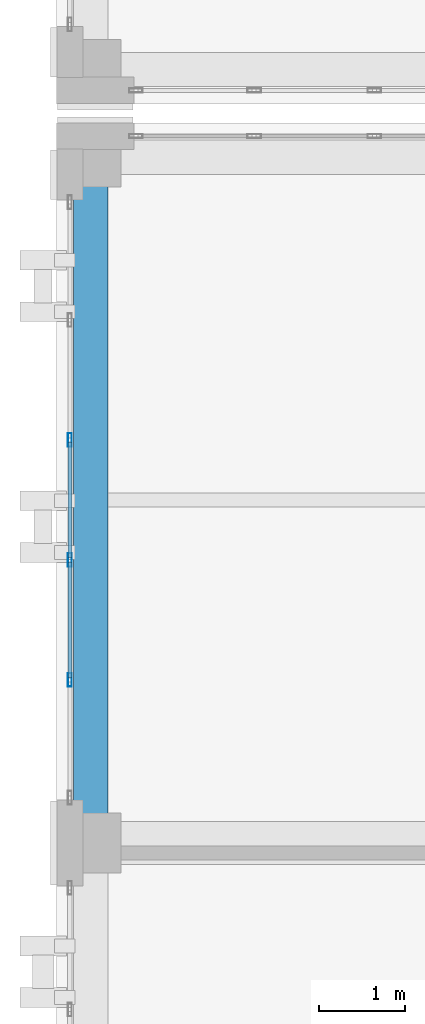
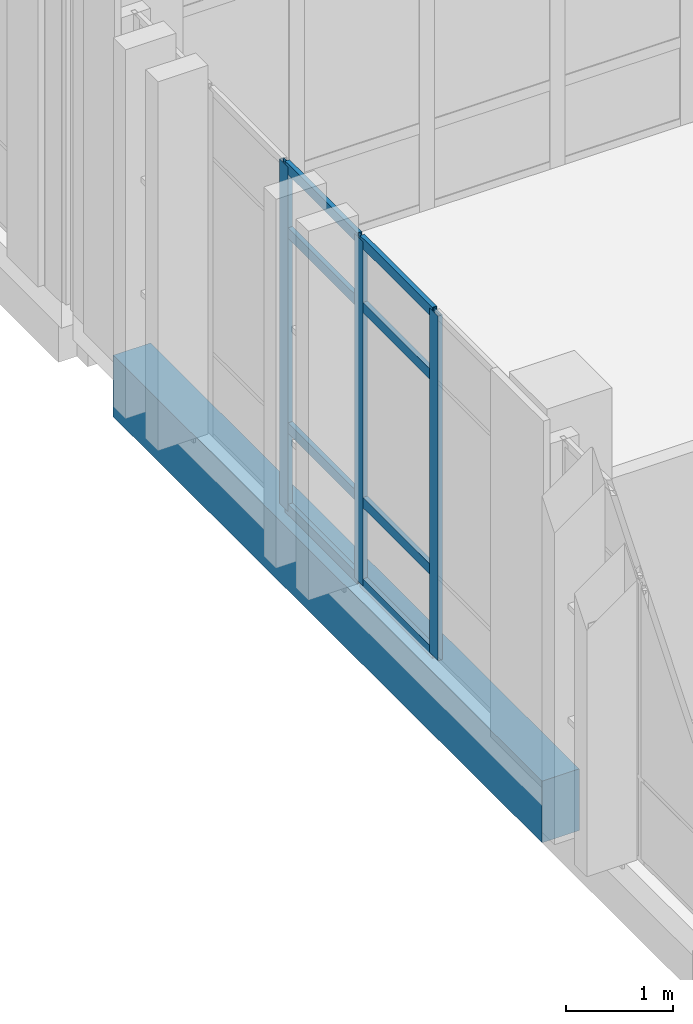
# One storey, part 80 of 193: 11 members, 1 beam, 1 element without a shape of its own.
"""IFC4 building model written with IfcOpenShell, lengths in metres."""

import ifcopenshell
import ifcopenshell.guid

model = None  # the IFC model being written
_history = None  # IfcOwnerHistory: only IFC2X3 demands one
_inside = {}  # id of a spatial element -> (the spatial element, [elements in it])
_under = {}  # id of a project, library or spatial element -> (it, [spatial elements below it])
_declared = {}  # id of a project -> (the project, [libraries it declares])
_typed = {}  # id of a type object -> (the type object, [elements of that type])
_made_of = {}  # id of a material, layer set ... -> (it, [elements and type objects made of it])


def new_model(schema):
    """Start an empty IFC model of exactly this schema.

    Asked for "IFC4X3", IfcOpenShell would pick the latest addendum, in which some entities
    have other attributes; the version numbers below select the first issue.
    IFC2X3 requires an IfcOwnerHistory on every rooted entity: one is made here for all.
    """
    global model, _history
    if schema == "IFC4X3":
        model = ifcopenshell.file(schema_version=(4, 3, 0, 0))
    else:
        model = ifcopenshell.file(schema=schema)
    _inside.clear()
    _under.clear()
    _declared.clear()
    _typed.clear()
    _made_of.clear()
    _history = None
    if model.schema == "IFC2X3":
        org = make("IfcOrganization", Name="unknown")
        user = make(
            "IfcPersonAndOrganization",
            ThePerson=make("IfcPerson", FamilyName="unknown"),
            TheOrganization=org,
        )
        app = make(
            "IfcApplication",
            ApplicationDeveloper=org,
            Version="unknown",
            ApplicationFullName="unknown",
            ApplicationIdentifier="unknown",
        )
        _history = make(
            "IfcOwnerHistory",
            OwningUser=user,
            OwningApplication=app,
            ChangeAction="ADDED",
            CreationDate=0,
        )
    return model


def make(cls, **values):
    """One entity of the class cls with the attributes given. An attribute that is None is left unset."""
    return model.create_entity(
        cls, **{name: value for name, value in values.items() if value is not None}
    )


def rooted(cls, **values):
    """An entity with a GlobalId (a new one), such as an element, a storey or a relation."""
    return make(cls, GlobalId=ifcopenshell.guid.new(), OwnerHistory=_history, **values)


def si_unit(unit_type, name, prefix=None):
    """IfcSIUnit, for example si_unit("LENGTHUNIT", "METRE", prefix="MILLI")."""
    return make("IfcSIUnit", UnitType=unit_type, Prefix=prefix, Name=name)


def assignment(units):
    """IfcUnitAssignment: the units of a project."""
    return None if units is None else make("IfcUnitAssignment", Units=units)


def point(xyz):
    """IfcCartesianPoint."""
    return None if xyz is None else make("IfcCartesianPoint", Coordinates=xyz)


def direction(xyz):
    """IfcDirection."""
    return None if xyz is None else make("IfcDirection", DirectionRatios=xyz)


def frame(location, z_axis=None, x_axis=None):
    """IfcAxis2Placement3D, a coordinate frame: its origin and axes. An axis left out is left unset."""
    return make(
        "IfcAxis2Placement3D",
        Location=point(location),
        Axis=direction(z_axis),
        RefDirection=direction(x_axis),
    )


def frame_2d(location, x_axis=None):
    """IfcAxis2Placement2D, a coordinate frame in the plane: its origin and x axis."""
    return make(
        "IfcAxis2Placement2D", Location=point(location), RefDirection=direction(x_axis)
    )


def origin():
    """The frame at (0, 0, 0) with its axes left unset."""
    return frame((0.0, 0.0, 0.0))


def origin_2d():
    """The frame at (0, 0) in the plane with its x axis left unset."""
    return frame_2d((0.0, 0.0))


def place(relative_to, where):
    """IfcLocalPlacement: puts the frame where relative to a parent placement (None: the world)."""
    return make(
        "IfcLocalPlacement", PlacementRelTo=relative_to, RelativePlacement=where
    )


def context(
    kind, dimensions, precision=None, world=None, true_north=None, identifier=None
):
    """IfcGeometricRepresentationContext, for example the 3D "Model" context."""
    return make(
        "IfcGeometricRepresentationContext",
        ContextIdentifier=identifier,
        ContextType=kind,
        CoordinateSpaceDimension=dimensions,
        Precision=precision,
        WorldCoordinateSystem=world,
        TrueNorth=true_north,
    )


def subcontext(parent, identifier, kind, view, scale=None):
    """IfcGeometricRepresentationSubContext, for example "Body" below "Model"."""
    return make(
        "IfcGeometricRepresentationSubContext",
        ContextIdentifier=identifier,
        ContextType=kind,
        ParentContext=parent,
        TargetScale=scale,
        TargetView=view,
    )


def project(units=None, contexts=None):
    """IfcProject with its units and contexts."""
    return rooted(
        "IfcProject",
        Name="project",
        RepresentationContexts=contexts,
        UnitsInContext=assignment(units),
    )


def spatial(cls, under=None, at=None, **own):
    """A site, building, storey or space (cls), placed at a placement, below another one or the project."""
    s = rooted(cls, ObjectPlacement=at, **own)
    if under is not None:
        _under.setdefault(under.id(), (under, []))[1].append(s)
    return s


def profile(cls, at=None, kind="AREA", **sizes):
    """A parametric profile (cls). Its sizes go by their IFC names, for example OverallWidth=200.0."""
    return make(cls, ProfileType=kind, Position=at, **sizes)


def rectangle(**sizes):
    """IfcRectangleProfileDef."""
    return profile("IfcRectangleProfileDef", **sizes)


def hollow_rectangle(**sizes):
    """IfcRectangleHollowProfileDef."""
    return profile("IfcRectangleHollowProfileDef", **sizes)


def extrude(swept, where, along, depth):
    """IfcExtrudedAreaSolid: the profile swept, set in the frame where, extruded along a direction by depth."""
    return make(
        "IfcExtrudedAreaSolid",
        SweptArea=swept,
        Position=where,
        ExtrudedDirection=direction(along),
        Depth=depth,
    )


def shape(context_of_items, identifier, shape_type, items):
    """IfcShapeRepresentation: the items that make up one representation, for example the "Body"."""
    return make(
        "IfcShapeRepresentation",
        ContextOfItems=context_of_items,
        RepresentationIdentifier=identifier,
        RepresentationType=shape_type,
        Items=items,
    )


def material(Name=None, Category=None):
    """IfcMaterial."""
    return make("IfcMaterial", Name=Name, Category=Category)


def layer(
    of_material, thickness, ventilated=None, Name=None, Category=None, Priority=None
):
    """IfcMaterialLayer: one layer of a wall or slab, of a material (None: an air gap)."""
    return make(
        "IfcMaterialLayer",
        Material=of_material,
        LayerThickness=thickness,
        IsVentilated=ventilated,
        Name=Name,
        Category=Category,
        Priority=Priority,
    )


def layer_set(layers, Name=None):
    """IfcMaterialLayerSet."""
    return make("IfcMaterialLayerSet", MaterialLayers=layers, LayerSetName=Name)


def material_profile(
    of_material, cross_section, Name=None, Category=None, Priority=None
):
    """IfcMaterialProfile: a cross section and its material."""
    return make(
        "IfcMaterialProfile",
        Name=Name,
        Material=of_material,
        Profile=cross_section,
        Priority=Priority,
        Category=Category,
    )


def profile_set(profiles, Name=None, composite=None):
    """IfcMaterialProfileSet."""
    return make(
        "IfcMaterialProfileSet",
        Name=Name,
        MaterialProfiles=profiles,
        CompositeProfile=composite,
    )


def made_of(thing, what):
    """Note that an element or type object is made of a material, layer set ...; save() writes the relation."""
    if what is not None:
        _made_of.setdefault(what.id(), (what, []))[1].append(thing)
    return thing


def type_object(cls, material=None, **own):
    """A type object (cls), such as IfcWallType, which elements share."""
    return made_of(rooted(cls, **own), material)


def element(
    cls,
    number,
    at=None,
    inside=None,
    cuts=None,
    type_object=None,
    material=None,
    context=None,
    identifier="Body",
    shape_type=None,
    held_by="IfcProductDefinitionShape",
    body=None,
    shapes=None,
    **own,
):
    """One element of the class cls, such as IfcWall. Its Tag is "e" and its number.

    at: its placement. inside: the storey or other place that contains it. cuts: it is an
    opening in that element (IfcRelVoidsElement). A single representation is given by context,
    identifier, shape_type and body (its items); several are given by shapes. held_by: the class
    of the entity that holds the representations. save() writes the other relations.
    """
    e = rooted(cls, Tag="e%d" % number, ObjectPlacement=at, **own)
    if body is not None:
        shapes = [shape(context, identifier, shape_type, body)]
    if shapes is not None:
        e.Representation = make(held_by, Representations=shapes)
    if inside is not None:
        _inside.setdefault(inside.id(), (inside, []))[1].append(e)
    if cuts is not None:
        rooted(
            "IfcRelVoidsElement", RelatingBuildingElement=cuts, RelatedOpeningElement=e
        )
    if type_object is not None:
        _typed.setdefault(type_object.id(), (type_object, []))[1].append(e)
    return made_of(e, material)


def aggregate(whole, parts):
    """IfcRelAggregates: a whole, such as a stair, and the parts it consists of."""
    return rooted("IfcRelAggregates", RelatingObject=whole, RelatedObjects=parts)


def save(model, path):
    """Write the relations noted so far, then the file.

    IfcRelAggregates (storeys below a building ...), IfcRelContainedInSpatialStructure (elements
    in a storey), IfcRelDefinesByType, IfcRelAssociatesMaterial and IfcRelDeclares: one each for
    every whole, place, type object, material and project.
    """
    for whole, parts in _under.values():
        aggregate(whole, parts)
    for where, things in _inside.values():
        rooted(
            "IfcRelContainedInSpatialStructure",
            RelatedElements=things,
            RelatingStructure=where,
        )
    for kind, things in _typed.values():
        rooted("IfcRelDefinesByType", RelatedObjects=things, RelatingType=kind)
    for what, things in _made_of.values():
        rooted("IfcRelAssociatesMaterial", RelatedObjects=things, RelatingMaterial=what)
    for by, libraries in _declared.values():
        rooted("IfcRelDeclares", RelatingContext=by, RelatedDefinitions=libraries)
    model.write(path)


model = new_model("IFC4")

# Units and contexts
model_context = context("Model", 3, precision=1e-05, world=origin(), true_north=direction((0.0, 1.0)))
body_context = subcontext(model_context, "Body", "Model", "MODEL_VIEW")
ifc_project = project(units=[si_unit("LENGTHUNIT", "METRE"), si_unit("AREAUNIT", "SQUARE_METRE"), si_unit("VOLUMEUNIT", "CUBIC_METRE"), si_unit("PLANEANGLEUNIT", "RADIAN"), si_unit("MASSUNIT", "GRAM", prefix="KILO")], contexts=[model_context])

# Site, building, storey
site_placement = place(None, origin())
site = spatial("IfcSite", under=ifc_project, at=site_placement, CompositionType="ELEMENT")
building_placement = place(site_placement, origin())
building = spatial("IfcBuilding", under=site, at=building_placement, Name="Qalavern Law Courts", CompositionType="ELEMENT")
storey_placement = place(building_placement, frame((0.0, 0.0, 10.199951171875)))
storey = spatial("IfcBuildingStorey", under=building, at=storey_placement, Name="L02", CompositionType="ELEMENT", Elevation=10.199951171875)

# Curtain wall, members
ifc_material_1 = material(Name="Anodised aluminium and insulated glazing", Category="aluminium")
ifc_layer = layer(ifc_material_1, 0.172119140625)
ifc_layer_set = layer_set([ifc_layer], Name="Anodised aluminium and insulated glazing")
curtain_wall_type = type_object("IfcCurtainWallType", Name="ENV-CW-COURT", PredefinedType="USERDEFINED", material=ifc_layer_set)
curtain_wall_placement = place(storey_placement, origin())
curtain_wall = element("IfcCurtainWall", 1, at=curtain_wall_placement, inside=storey, type_object=curtain_wall_type, Name="V3 unitised curtain wall L02 west 1", ObjectType="UNITISED CURTAIN WALL", PredefinedType="USERDEFINED")
ifc_material_2 = material(Name="Anodised aluminium", Category="aluminium")
ifc_material_profile_1 = material_profile(ifc_material_2, hollow_rectangle(XDim=0.048095703125, YDim=0.159912109375, WallThickness=0.00390625, at=origin_2d()), Name="ALU MULLION 48x160")
ifc_profile_set_1 = profile_set([ifc_material_profile_1], Name="Anodised aluminium")
member_type_1 = type_object("IfcMemberType", Name="ENV-CWM-48x160", PredefinedType="MULLION", material=ifc_profile_set_1)
member_1_placement = place(storey_placement, frame((2.155029296875, 92.2880859375, 0.0), z_axis=(0.0, 0.0, 1.0), x_axis=(1.0, 0.0, 0.0)))
member_1 = element("IfcMember", 2, at=member_1_placement, type_object=member_type_1, Name="CW-03 mullion 3", PredefinedType="MULLION", context=body_context, shape_type="SweptSolid", body=[
    extrude(hollow_rectangle(XDim=0.048095703125, YDim=0.159912109375, WallThickness=0.00390625, at=origin_2d()), origin(), (0.0, 0.0, 1.0), 3.9150390625),
])
member_2_placement = place(storey_placement, frame((2.155029296875, 90.89208984375, 0.0), z_axis=(0.0, 0.0, 1.0), x_axis=(1.0, 0.0, 0.0)))
member_2 = element("IfcMember", 3, at=member_2_placement, type_object=member_type_1, Name="CW-03 mullion 4", PredefinedType="MULLION", context=body_context, shape_type="SweptSolid", body=[
    extrude(hollow_rectangle(XDim=0.048095703125, YDim=0.159912109375, WallThickness=0.00390625, at=origin_2d()), origin(), (0.0, 0.0, 1.0), 3.9150390625),
])
member_3_placement = place(storey_placement, frame((2.155029296875, 89.49609375, 0.0), z_axis=(0.0, 0.0, 1.0), x_axis=(1.0, 0.0, 0.0)))
member_3 = element("IfcMember", 4, at=member_3_placement, type_object=member_type_1, Name="CW-03 mullion 5", PredefinedType="MULLION", context=body_context, shape_type="SweptSolid", body=[
    extrude(hollow_rectangle(XDim=0.048095703125, YDim=0.159912109375, WallThickness=0.00390625, at=origin_2d()), origin(), (0.0, 0.0, 1.0), 3.9150390625),
])
ifc_material_profile_2 = material_profile(ifc_material_2, hollow_rectangle(XDim=0.048095703125, YDim=0.1201171875, WallThickness=0.00390625, at=origin_2d()), Name="ALU TRANSOM 48x120")
ifc_profile_set_2 = profile_set([ifc_material_profile_2], Name="Anodised aluminium")
member_type_2 = type_object("IfcMemberType", Name="ENV-CWT-48x120", PredefinedType="USERDEFINED", material=ifc_profile_set_2)
member_4_placement = place(storey_placement, frame((2.155029296875, 92.263916015625, 0.024169921875), z_axis=(0.0, -1.0, 0.0), x_axis=(1.0, 0.0, 0.0)))
member_4 = element("IfcMember", 5, at=member_4_placement, type_object=member_type_2, Name="CW-03 transom 3.1", ObjectType="TRANSOM", PredefinedType="USERDEFINED", context=body_context, shape_type="SweptSolid", body=[
    extrude(hollow_rectangle(XDim=0.048095703125, YDim=0.1201171875, WallThickness=0.00390625, at=origin_2d()), origin(), (0.0, 0.0, 1.0), 1.347900390625),
])
member_5_placement = place(storey_placement, frame((2.155029296875, 92.263916015625, 0.949951171875), z_axis=(0.0, -1.0, 0.0), x_axis=(1.0, 0.0, 0.0)))
member_5 = element("IfcMember", 6, at=member_5_placement, type_object=member_type_2, Name="CW-03 transom 3.2", ObjectType="TRANSOM", PredefinedType="USERDEFINED", context=body_context, shape_type="SweptSolid", body=[
    extrude(hollow_rectangle(XDim=0.048095703125, YDim=0.1201171875, WallThickness=0.00390625, at=origin_2d()), origin(), (0.0, 0.0, 1.0), 1.347900390625),
])
member_6_placement = place(storey_placement, frame((2.155029296875, 92.263916015625, 3.1650390625), z_axis=(0.0, -1.0, 0.0), x_axis=(1.0, 0.0, 0.0)))
member_6 = element("IfcMember", 7, at=member_6_placement, type_object=member_type_2, Name="CW-03 transom 3.3", ObjectType="TRANSOM", PredefinedType="USERDEFINED", context=body_context, shape_type="SweptSolid", body=[
    extrude(hollow_rectangle(XDim=0.048095703125, YDim=0.1201171875, WallThickness=0.00390625, at=origin_2d()), origin(), (0.0, 0.0, 1.0), 1.347900390625),
])
member_7_placement = place(storey_placement, frame((2.155029296875, 92.263916015625, 3.89111328125), z_axis=(0.0, -1.0, 0.0), x_axis=(1.0, 0.0, 0.0)))
member_7 = element("IfcMember", 8, at=member_7_placement, type_object=member_type_2, Name="CW-03 transom 3.4", ObjectType="TRANSOM", PredefinedType="USERDEFINED", context=body_context, shape_type="SweptSolid", body=[
    extrude(hollow_rectangle(XDim=0.048095703125, YDim=0.1201171875, WallThickness=0.00390625, at=origin_2d()), origin(), (0.0, 0.0, 1.0), 1.347900390625),
])
member_8_placement = place(storey_placement, frame((2.155029296875, 90.867919921875, 0.024169921875), z_axis=(0.0, -1.0, 0.0), x_axis=(1.0, 0.0, 0.0)))
member_8 = element("IfcMember", 9, at=member_8_placement, type_object=member_type_2, Name="CW-03 transom 4.1", ObjectType="TRANSOM", PredefinedType="USERDEFINED", context=body_context, shape_type="SweptSolid", body=[
    extrude(hollow_rectangle(XDim=0.048095703125, YDim=0.1201171875, WallThickness=0.00390625, at=origin_2d()), origin(), (0.0, 0.0, 1.0), 1.347900390625),
])
member_9_placement = place(storey_placement, frame((2.155029296875, 90.867919921875, 0.949951171875), z_axis=(0.0, -1.0, 0.0), x_axis=(1.0, 0.0, 0.0)))
member_9 = element("IfcMember", 10, at=member_9_placement, type_object=member_type_2, Name="CW-03 transom 4.2", ObjectType="TRANSOM", PredefinedType="USERDEFINED", context=body_context, shape_type="SweptSolid", body=[
    extrude(hollow_rectangle(XDim=0.048095703125, YDim=0.1201171875, WallThickness=0.00390625, at=origin_2d()), origin(), (0.0, 0.0, 1.0), 1.347900390625),
])
member_10_placement = place(storey_placement, frame((2.155029296875, 90.867919921875, 3.1650390625), z_axis=(0.0, -1.0, 0.0), x_axis=(1.0, 0.0, 0.0)))
member_10 = element("IfcMember", 11, at=member_10_placement, type_object=member_type_2, Name="CW-03 transom 4.3", ObjectType="TRANSOM", PredefinedType="USERDEFINED", context=body_context, shape_type="SweptSolid", body=[
    extrude(hollow_rectangle(XDim=0.048095703125, YDim=0.1201171875, WallThickness=0.00390625, at=origin_2d()), origin(), (0.0, 0.0, 1.0), 1.347900390625),
])
member_11_placement = place(storey_placement, frame((2.155029296875, 90.867919921875, 3.89111328125), z_axis=(0.0, -1.0, 0.0), x_axis=(1.0, 0.0, 0.0)))
member_11 = element("IfcMember", 12, at=member_11_placement, type_object=member_type_2, Name="CW-03 transom 4.4", ObjectType="TRANSOM", PredefinedType="USERDEFINED", context=body_context, shape_type="SweptSolid", body=[
    extrude(hollow_rectangle(XDim=0.048095703125, YDim=0.1201171875, WallThickness=0.00390625, at=origin_2d()), origin(), (0.0, 0.0, 1.0), 1.347900390625),
])
aggregate(curtain_wall, [member_1, member_2, member_3, member_4, member_5, member_6, member_7, member_8, member_9, member_10, member_11])

# Beam
ifc_material_3 = material(Name="Concrete C40/50", Category="concrete")
ifc_material_profile_3 = material_profile(ifc_material_3, rectangle(XDim=0.39990234375, YDim=0.699951171875, at=origin_2d()), Name="RC 400x700")
ifc_profile_set_3 = profile_set([ifc_material_profile_3], Name="Concrete C40/50")
beam_type = type_object("IfcBeamType", Name="STR-SP-RC400x700", PredefinedType="SPANDREL", material=ifc_profile_set_3)
beam_placement = place(storey_placement, frame((2.39990234375, 87.60009765625, -0.639892578125), z_axis=(0.0, 1.0, 0.0), x_axis=(-1.0, 0.0, 0.0)))
element("IfcBeam", 13, at=beam_placement, inside=storey, type_object=beam_type, Name="V3 Y-beam 1-7 L02", PredefinedType="SPANDREL", context=body_context, shape_type="SweptSolid", body=[
    extrude(rectangle(XDim=0.39990234375, YDim=0.699951171875, at=origin_2d()), origin(), (0.0, 0.0, 1.0), 7.97998046875),
])

save(model, "model.ifc")
